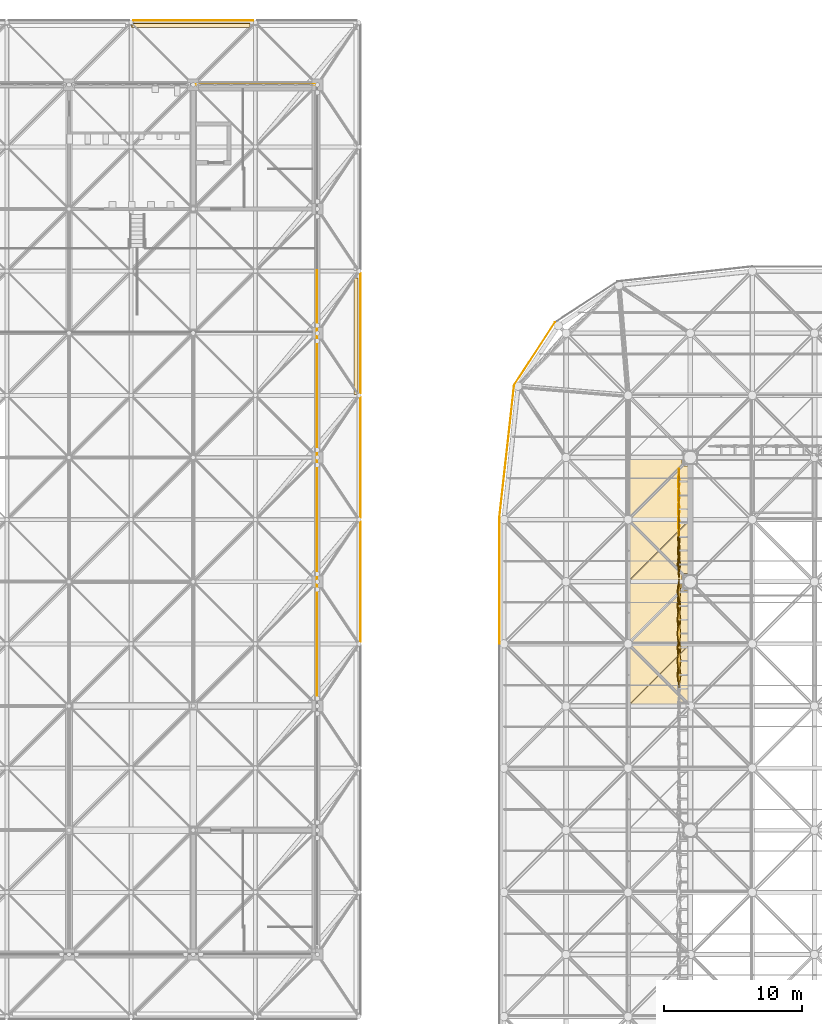
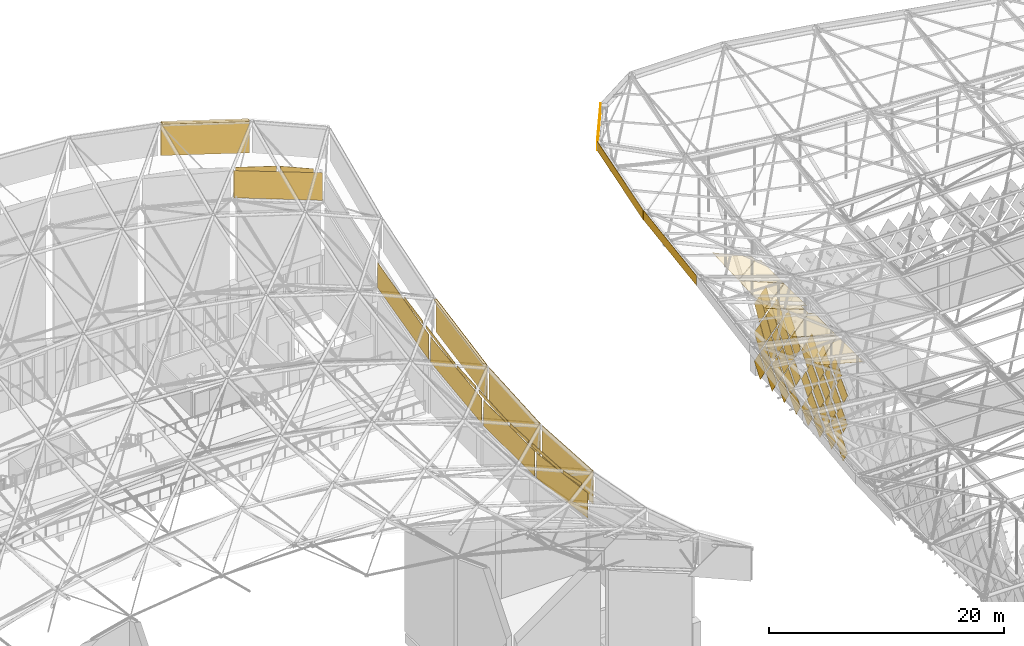
# One storey, part 422 of 437: 73 coverings.
"""IFC4 building model written with IfcOpenShell, lengths in metres."""

from ifc_helpers import new_model, si_unit, direction, frame, origin, place, context, subcontext, project, spatial, polyline, outline, extrude, material, layer, layer_set, material_profile, profile_set, type_object, element, save


model = new_model("IFC4")

# Units and contexts
model_context = context("Model", 3, precision=1e-05, world=origin(), true_north=direction((0.0, 1.0)))
body_context = subcontext(model_context, "Body", "Model", "MODEL_VIEW")
ifc_project = project(units=[si_unit("LENGTHUNIT", "METRE"), si_unit("AREAUNIT", "SQUARE_METRE"), si_unit("VOLUMEUNIT", "CUBIC_METRE"), si_unit("PLANEANGLEUNIT", "RADIAN"), si_unit("MASSUNIT", "GRAM", prefix="KILO")], contexts=[model_context])

# Site, building, storey
site_placement = place(None, origin())
site = spatial("IfcSite", under=ifc_project, at=site_placement, CompositionType="ELEMENT")
building_placement = place(site_placement, origin())
building = spatial("IfcBuilding", under=site, at=building_placement, Name="Opaline Strait Convention Centre", CompositionType="ELEMENT")
storey_placement = place(building_placement, frame((0.0, 0.0, 11.5)))
storey = spatial("IfcBuildingStorey", under=building, at=storey_placement, Name="L02", CompositionType="ELEMENT", Elevation=11.5)

# Coverings
ifc_material_1 = material(Name="White ceramic-faced aluminium tile", Category="aluminium")
ifc_material_profile_1 = material_profile(ifc_material_1, outline(polyline([(0.927978515625, 0.0), (0.0, 1.39208984375), (-0.927978515625, 0.0), (0.0, -1.39208984375), (0.927978515625, 0.0)])), Name="Diamond tile 1856x2784")
ifc_profile_set_1 = profile_set([ifc_material_profile_1], Name="White ceramic-faced aluminium tile")
covering_type_1 = type_object("IfcCoveringType", Name="Diamond wall tile 1856x2784x30 pivot 1 deg", PredefinedType="CLADDING", material=ifc_profile_set_1)
for number, where, z_axis, x_axis, name in (
    (1, (98.199951171875, 151.25, 1.89208984375), (-0.999702690643, 0.0, -0.024382992455), (0.0, -1.0, 0.0), "Wall tile XT02 W"),
    (2, (98.199951171875, 150.25, 3.39208984375), (-0.999702690643, 0.0, -0.024382992455), (0.0, -1.0, 0.0), "Wall tile XT02 W"),
    (3, (98.199951171875, 151.25, 4.89208984375), (-0.999867829764, 0.0, 0.016258013492), (0.0, -1.0, 0.0), "Wall tile XT02 W"),
    (4, (98.199951171875, 149.25, 4.89208984375), (-0.999702690643, 0.0, -0.024382992455), (0.0, -1.0, 0.0), "Wall tile XT02 W"),
    (5, (98.199951171875, 150.25, 6.39208984375), (-0.999867829764, 0.0, 0.016258013492), (0.0, -1.0, 0.0), "Wall tile XT02 W"),
    (6, (98.199951171875, 149.25, 7.89208984375), (-0.999867829764, 0.0, 0.016258013492), (0.0, -1.0, 0.0), "Wall tile XT02 W"),
):
    element("IfcCovering", number, at=place(storey_placement, frame(where, z_axis=z_axis, x_axis=x_axis)), inside=storey, type_object=covering_type_1, Name=name, PredefinedType="CLADDING", context=body_context, shape_type="SweptSolid", body=[
        extrude(outline(polyline([(0.927978515625, 0.0), (0.0, 1.39208984375), (-0.927978515625, 0.0), (0.0, -1.39208984375), (0.927978515625, 0.0)])), origin(), (0.0, 0.0, 1.0), 0.030029296875),
    ])
ifc_material_profile_2 = material_profile(ifc_material_1, outline(polyline([(0.927978515625, 0.0), (0.0, 1.39208984375), (-0.927978515625, 0.0), (0.0, -1.39208984375), (0.927978515625, 0.0)])), Name="Diamond tile 1856x2784")
ifc_profile_set_2 = profile_set([ifc_material_profile_2], Name="White ceramic-faced aluminium tile")
covering_type_2 = type_object("IfcCoveringType", Name="Diamond wall tile 1856x2784x30 pivot 1.5 deg", PredefinedType="CLADDING", material=ifc_profile_set_2)
for number, where, z_axis, x_axis, name in (
    (7, (98.199951171875, 149.25, 1.89208984375), (-0.999471633277, 0.0, -0.032503142546), (0.0, -1.0, 0.0), "Wall tile XT03 W"),
    (8, (98.199951171875, 148.25, 3.39208984375), (-0.999471633277, 0.0, -0.032503142546), (0.0, -1.0, 0.0), "Wall tile XT03 W"),
    (9, (98.199951171875, 147.25, 4.89208984375), (-0.999471633277, 0.0, -0.032503142546), (0.0, -1.0, 0.0), "Wall tile XT03 W"),
    (10, (98.199951171875, 148.25, 6.39208984375), (-0.999471633277, 0.0, -0.032503142546), (0.0, -1.0, 0.0), "Wall tile XT03 W"),
    (11, (98.199951171875, 146.25, 6.39208984375), (-0.999471633277, 0.0, -0.032503142546), (0.0, -1.0, 0.0), "Wall tile XT03 W"),
    (12, (98.199951171875, 147.25, 7.89208984375), (-0.999471633277, 0.0, -0.032503142546), (0.0, -1.0, 0.0), "Wall tile XT03 W"),
    (13, (98.199951171875, 145.25, 7.89208984375), (-0.999471633277, 0.0, -0.032503142546), (0.0, -1.0, 0.0), "Wall tile XT03 W"),
    (14, (98.199951171875, 148.25, 9.39208984375), (-0.999702690643, 0.0, 0.024382992455), (0.0, -1.0, 0.0), "Wall tile XT03 W"),
    (15, (98.199951171875, 146.25, 9.39208984375), (-0.999471633277, 0.0, -0.032503142546), (0.0, -1.0, 0.0), "Wall tile XT03 W"),
):
    element("IfcCovering", number, at=place(storey_placement, frame(where, z_axis=z_axis, x_axis=x_axis)), inside=storey, type_object=covering_type_2, Name=name, PredefinedType="CLADDING", context=body_context, shape_type="SweptSolid", body=[
        extrude(outline(polyline([(0.927978515625, 0.0), (0.0, 1.39208984375), (-0.927978515625, 0.0), (0.0, -1.39208984375), (0.927978515625, 0.0)])), origin(), (0.0, 0.0, 1.0), 0.030029296875),
    ])
ifc_material_profile_3 = material_profile(ifc_material_1, outline(polyline([(0.927978515625, 0.0), (0.0, 1.39208984375), (-0.927978515625, 0.0), (0.0, -1.39208984375), (0.927978515625, 0.0)])), Name="Diamond tile 1856x2784")
ifc_profile_set_3 = profile_set([ifc_material_profile_3], Name="White ceramic-faced aluminium tile")
covering_type_3 = type_object("IfcCoveringType", Name="Diamond wall tile 1856x2784x30 pivot 2 deg", PredefinedType="CLADDING", material=ifc_profile_set_3)
for number, where, z_axis, x_axis, name in (
    (16, (98.199951171875, 151.25, 7.89208984375), (-0.999471633277, 0.0, 0.032503142546), (0.0, -1.0, 0.0), "Wall tile XT04 W"),
    (17, (98.199951171875, 150.25, 9.39208984375), (-0.999471633277, 0.0, 0.032503142546), (0.0, -1.0, 0.0), "Wall tile XT04 W"),
):
    element("IfcCovering", number, at=place(storey_placement, frame(where, z_axis=z_axis, x_axis=x_axis)), inside=storey, type_object=covering_type_3, Name=name, PredefinedType="CLADDING", context=body_context, shape_type="SweptSolid", body=[
        extrude(outline(polyline([(0.927978515625, 0.0), (0.0, 1.39208984375), (-0.927978515625, 0.0), (0.0, -1.39208984375), (0.927978515625, 0.0)])), origin(), (0.0, 0.0, 1.0), 0.030029296875),
    ])
ifc_material_profile_4 = material_profile(ifc_material_1, outline(polyline([(0.927978515625, 0.0), (0.0, 1.39208984375), (-0.927978515625, 0.0), (0.0, -1.39208984375), (0.927978515625, 0.0)])), Name="Diamond tile 1856x2784")
ifc_profile_set_4 = profile_set([ifc_material_profile_4], Name="White ceramic-faced aluminium tile")
covering_type_4 = type_object("IfcCoveringType", Name="Diamond wall tile 1856x2784x30 pivot 3 deg", PredefinedType="CLADDING", material=ifc_profile_set_4)
for number, where, z_axis, x_axis, name in (
    (18, (98.199951171875, 147.25, 1.89208984375), (-0.998384516691, 0.0, -0.056818631031), (0.0, -1.0, 0.0), "Wall tile XT06 W"),
    (19, (98.199951171875, 137.25, 1.89208984375), (-0.998384516691, 0.0, -0.056818631031), (0.0, -1.0, 0.0), "Wall tile XT06 W"),
    (20, (98.199951171875, 146.25, 3.39208984375), (-0.998384516691, 0.0, -0.056818631031), (0.0, -1.0, 0.0), "Wall tile XT06 W"),
    (21, (98.199951171875, 145.25, 4.89208984375), (-0.998384516691, 0.0, -0.056818631031), (0.0, -1.0, 0.0), "Wall tile XT06 W"),
    (22, (98.199951171875, 143.25, 7.89208984375), (-0.998384516691, 0.0, -0.056818631031), (0.0, -1.0, 0.0), "Wall tile XT06 W"),
):
    element("IfcCovering", number, at=place(storey_placement, frame(where, z_axis=z_axis, x_axis=x_axis)), inside=storey, type_object=covering_type_4, Name=name, PredefinedType="CLADDING", context=body_context, shape_type="SweptSolid", body=[
        extrude(outline(polyline([(0.927978515625, 0.0), (0.0, 1.39208984375), (-0.927978515625, 0.0), (0.0, -1.39208984375), (0.927978515625, 0.0)])), origin(), (0.0, 0.0, 1.0), 0.030029296875),
    ])
ifc_material_profile_5 = material_profile(ifc_material_1, outline(polyline([(0.927978515625, 0.0), (0.0, 1.39208984375), (-0.927978515625, 0.0), (0.0, -1.39208984375), (0.927978515625, 0.0)])), Name="Diamond tile 1856x2784")
ifc_profile_set_5 = profile_set([ifc_material_profile_5], Name="White ceramic-faced aluminium tile")
covering_type_5 = type_object("IfcCoveringType", Name="Diamond wall tile 1856x2784x30 pivot 3.5 deg", PredefinedType="CLADDING", material=ifc_profile_set_5)
covering_1_placement = place(storey_placement, frame((98.199951171875, 142.25, 9.39208984375), z_axis=(-0.99785694905, 0.0, -0.065433242561), x_axis=(0.0, -1.0, 0.0)))
element("IfcCovering", 23, at=covering_1_placement, inside=storey, type_object=covering_type_5, Name="Wall tile XT07 W", PredefinedType="CLADDING", context=body_context, shape_type="SweptSolid", body=[
    extrude(outline(polyline([(0.927978515625, 0.0), (0.0, 1.39208984375), (-0.927978515625, 0.0), (0.0, -1.39208984375), (0.927978515625, 0.0)])), origin(), (0.0, 0.0, 1.0), 0.02978515625),
])
ifc_material_profile_6 = material_profile(ifc_material_1, outline(polyline([(0.927978515625, 0.0), (0.0, 1.39208984375), (-0.927978515625, 0.0), (0.0, -1.39208984375), (0.927978515625, 0.0)])), Name="Diamond tile 1856x2784")
ifc_profile_set_6 = profile_set([ifc_material_profile_6], Name="White ceramic-faced aluminium tile")
covering_type_6 = type_object("IfcCoveringType", Name="Diamond wall tile 1856x2784x30 pivot 4 deg", PredefinedType="CLADDING", material=ifc_profile_set_6)
for number, where, z_axis, x_axis, name in (
    (24, (98.199951171875, 145.25, 1.89208984375), (-0.997290013252, 0.0, -0.073570574748), (0.0, -1.0, 0.0), "Wall tile XT08 W"),
    (25, (98.199951171875, 143.25, 4.89208984375), (-0.997290013252, 0.0, -0.073570574748), (0.0, -1.0, 0.0), "Wall tile XT08 W"),
):
    element("IfcCovering", number, at=place(storey_placement, frame(where, z_axis=z_axis, x_axis=x_axis)), inside=storey, type_object=covering_type_6, Name=name, PredefinedType="CLADDING", context=body_context, shape_type="SweptSolid", body=[
        extrude(outline(polyline([(0.927978515625, 0.0), (0.0, 1.39208984375), (-0.927978515625, 0.0), (0.0, -1.39208984375), (0.927978515625, 0.0)])), origin(), (0.0, 0.0, 1.0), 0.02978515625),
    ])
ifc_material_profile_7 = material_profile(ifc_material_1, outline(polyline([(0.927978515625, 0.0), (0.0, 1.39208984375), (-0.927978515625, 0.0), (0.0, -1.39208984375), (0.927978515625, 0.0)])), Name="Diamond tile 1856x2784")
ifc_profile_set_7 = profile_set([ifc_material_profile_7], Name="White ceramic-faced aluminium tile")
covering_type_7 = type_object("IfcCoveringType", Name="Diamond wall tile 1856x2784x30 pivot 4.5 deg", PredefinedType="CLADDING", material=ifc_profile_set_7)
for number, where, z_axis, x_axis, name in (
    (26, (98.199951171875, 143.25, 1.89208984375), (-0.996657521232, 0.0, -0.081693239445), (0.0, -1.0, 0.0), "Wall tile XT09 W"),
    (27, (98.199951171875, 139.25, 1.89208984375), (-0.996657521232, 0.0, -0.081693239445), (0.0, -1.0, 0.0), "Wall tile XT09 W"),
    (28, (98.199951171875, 138.25, 3.39208984375), (-0.996657521232, 0.0, -0.081693239445), (0.0, -1.0, 0.0), "Wall tile XT09 W"),
    (29, (98.199951171875, 137.25, 4.89208984375), (-0.996657521232, 0.0, -0.081693239445), (0.0, -1.0, 0.0), "Wall tile XT09 W"),
    (30, (98.199951171875, 142.25, 6.39208984375), (-0.996657521232, 0.0, -0.081693239445), (0.0, -1.0, 0.0), "Wall tile XT09 W"),
    (31, (98.199951171875, 141.25, 7.89208984375), (-0.996657521232, 0.0, -0.081693239445), (0.0, -1.0, 0.0), "Wall tile XT09 W"),
    (32, (98.199951171875, 140.25, 9.39208984375), (-0.996657521232, 0.0, -0.081693239445), (0.0, -1.0, 0.0), "Wall tile XT09 W"),
):
    element("IfcCovering", number, at=place(storey_placement, frame(where, z_axis=z_axis, x_axis=x_axis)), inside=storey, type_object=covering_type_7, Name=name, PredefinedType="CLADDING", context=body_context, shape_type="SweptSolid", body=[
        extrude(outline(polyline([(0.927978515625, 0.0), (0.0, 1.39208984375), (-0.927978515625, 0.0), (0.0, -1.39208984375), (0.927978515625, 0.0)])), origin(), (0.0, 0.0, 1.0), 0.02978515625),
    ])
ifc_material_profile_8 = material_profile(ifc_material_1, outline(polyline([(0.927978515625, 0.0), (0.0, 1.39208984375), (-0.927978515625, 0.0), (0.0, -1.39208984375), (0.927978515625, 0.0)])), Name="Diamond tile 1856x2784")
ifc_profile_set_8 = profile_set([ifc_material_profile_8], Name="White ceramic-faced aluminium tile")
covering_type_8 = type_object("IfcCoveringType", Name="Diamond wall tile 1856x2784x30 pivot 5 deg", PredefinedType="CLADDING", material=ifc_profile_set_8)
for number, where, z_axis, x_axis, name in (
    (33, (98.199951171875, 141.25, 1.89208984375), (-0.995959849254, 0.0, -0.089799658539), (0.0, -1.0, 0.0), "Wall tile XT10 W"),
    (34, (98.199951171875, 142.25, 3.39208984375), (-0.995959849254, 0.0, -0.089799658539), (0.0, -1.0, 0.0), "Wall tile XT10 W"),
    (35, (98.199951171875, 140.25, 3.39208984375), (-0.995959849254, 0.0, -0.089799658539), (0.0, -1.0, 0.0), "Wall tile XT10 W"),
    (36, (98.199951171875, 141.25, 4.89208984375), (-0.995959849254, 0.0, -0.089799658539), (0.0, -1.0, 0.0), "Wall tile XT10 W"),
    (37, (98.199951171875, 140.25, 6.39208984375), (-0.995959849254, 0.0, -0.089799658539), (0.0, -1.0, 0.0), "Wall tile XT10 W"),
):
    element("IfcCovering", number, at=place(storey_placement, frame(where, z_axis=z_axis, x_axis=x_axis)), inside=storey, type_object=covering_type_8, Name=name, PredefinedType="CLADDING", context=body_context, shape_type="SweptSolid", body=[
        extrude(outline(polyline([(0.927978515625, 0.0), (0.0, 1.39208984375), (-0.927978515625, 0.0), (0.0, -1.39208984375), (0.927978515625, 0.0)])), origin(), (0.0, 0.0, 1.0), 0.02978515625),
    ])
ifc_material_profile_9 = material_profile(ifc_material_1, outline(polyline([(0.927978515625, 0.0), (0.0, 1.39208984375), (-0.927978515625, 0.0), (0.0, -1.39208984375), (0.927978515625, 0.0)])), Name="Diamond tile 1856x2784")
ifc_profile_set_9 = profile_set([ifc_material_profile_9], Name="White ceramic-faced aluminium tile")
covering_type_9 = type_object("IfcCoveringType", Name="Diamond wall tile 1856x2784x30 pivot 5.5 deg", PredefinedType="CLADDING", material=ifc_profile_set_9)
for number, where, z_axis, x_axis, name in (
    (38, (98.199951171875, 139.25, 4.89208984375), (-0.995197410875, 0.0, -0.097888269922), (0.0, -1.0, 0.0), "Wall tile XT11 W"),
    (39, (98.199951171875, 138.25, 6.39208984375), (-0.995197410875, 0.0, -0.097888269922), (0.0, -1.0, 0.0), "Wall tile XT11 W"),
    (40, (98.199951171875, 139.25, 7.89208984375), (-0.995197410875, 0.0, -0.097888269922), (0.0, -1.0, 0.0), "Wall tile XT11 W"),
    (41, (98.199951171875, 137.25, 7.89208984375), (-0.995197410875, 0.0, -0.097888269922), (0.0, -1.0, 0.0), "Wall tile XT11 W"),
    (42, (98.199951171875, 138.25, 9.39208984375), (-0.995197410875, 0.0, -0.097888269922), (0.0, -1.0, 0.0), "Wall tile XT11 W"),
):
    element("IfcCovering", number, at=place(storey_placement, frame(where, z_axis=z_axis, x_axis=x_axis)), inside=storey, type_object=covering_type_9, Name=name, PredefinedType="CLADDING", context=body_context, shape_type="SweptSolid", body=[
        extrude(outline(polyline([(0.927978515625, 0.0), (0.0, 1.39208984375), (-0.927978515625, 0.0), (0.0, -1.39208984375), (0.927978515625, 0.0)])), origin(), (0.0, 0.0, 1.0), 0.030029296875),
    ])
ifc_material_2 = material(Name="White aluminium fascia plate", Category="aluminium")
ifc_layer_1 = layer(ifc_material_2, 0.02001953125)
ifc_layer_set_1 = layer_set([ifc_layer_1], Name="White aluminium fascia plate")
covering_type_10 = type_object("IfcCoveringType", Name="Edge fascia plate 20 aluminium", PredefinedType="CLADDING", material=ifc_layer_set_1)
covering_2_placement = place(storey_placement, frame((87.737548828125, 160.516845703125, 24.8037109375), z_axis=(-0.837610596839, 0.546267780547, 0.0), x_axis=(-0.546267780547, -0.837610596839, 0.0)))
element("IfcCovering", 43, at=covering_2_placement, inside=storey, type_object=covering_type_10, Name="Edge fascia plate W", PredefinedType="CLADDING", context=body_context, shape_type="SweptSolid", body=[
    extrude(outline(polyline([(-2.700439453125, 0.5751953125), (2.700439453125, 0.4248046875), (2.700439453125, -0.5751953125), (-2.700439453125, -0.4248046875), (-2.700439453125, 0.5751953125)])), origin(), (0.0, 0.0, 1.0), 0.02001953125),
])
covering_3_placement = place(storey_placement, frame((85.718505859375, 153.3935546875, 24.2626953125), z_axis=(-0.993883734674, 0.110431526075, 0.0), x_axis=(-0.110431526075, -0.993883734674, 0.0)))
element("IfcCovering", 44, at=covering_3_placement, inside=storey, type_object=covering_type_10, Name="Edge fascia plate W", PredefinedType="CLADDING", context=body_context, shape_type="SweptSolid", body=[
    extrude(outline(polyline([(-4.9052734375, 0.9658203125), (4.9052734375, 0.0341796875), (4.9052734375, -0.9658203125), (-4.9052734375, -0.0341796875), (-4.9052734375, 0.9658203125)])), origin(), (0.0, 0.0, 1.0), 0.019775390625),
])
covering_4_placement = place(storey_placement, frame((85.199951171875, 144.008056640625, 23.124267578125), z_axis=(-1.0, 0.0, 0.0), x_axis=(0.0, -1.0, 0.0)))
element("IfcCovering", 45, at=covering_4_placement, inside=storey, type_object=covering_type_10, Name="Edge fascia plate W", PredefinedType="CLADDING", context=body_context, shape_type="SweptSolid", body=[
    extrude(outline(polyline([(-4.508056640625, 1.17236328125), (4.508056640625, -0.17236328125), (4.508056640625, -1.17236328125), (-4.508056640625, 0.17236328125), (-4.508056640625, 1.17236328125)])), origin(), (0.0, 0.0, 1.0), 0.02001953125),
])
ifc_material_3 = material(Name="Standing seam aluminium edge flashing, white", Category="aluminium")
ifc_layer_2 = layer(ifc_material_3, 0.030029296875)
ifc_layer_set_2 = layer_set([ifc_layer_2], Name="Standing seam aluminium edge flashing, white")
covering_type_11 = type_object("IfcCoveringType", Name="Shell edge flashing 30", PredefinedType="ROOFING", material=ifc_layer_set_2)
covering_5_placement = place(storey_placement, frame((74.64990234375, 157.550048828125, 6.590576171875), z_axis=(0.392251562913, -0.172114766869, 0.903612316438), x_axis=(0.917297252512, -5.8031777e-05, -0.398203148113)))
element("IfcCovering", 46, at=covering_5_placement, inside=storey, type_object=covering_type_11, Name="PEF1 edge flashing 12", PredefinedType="ROOFING", context=body_context, shape_type="SweptSolid", body=[
    extrude(outline(polyline([(0.0, 0.0), (0.32714814561255307, 3.469446951953614e-18), (-0.31429762912742565, 8.577942404262181), (-0.6413485571745214, 8.577903864799362), (0.0, 0.0)])), origin(), (0.0, 0.0, -1.0), 0.030029296875),
])
covering_6_placement = place(storey_placement, frame((58.550048828125, 184.14990234375, 20.94775390625), z_axis=(0.278634448773, -0.389921733048, 0.877680970543), x_axis=(0.953122522929, 0.0, -0.30258462665)))
element("IfcCovering", 47, at=covering_6_placement, inside=storey, type_object=covering_type_11, Name="PEF1 edge flashing 30", PredefinedType="ROOFING", context=body_context, shape_type="SweptSolid", body=[
    extrude(outline(polyline([(0.0, 0.0), (8.970566346338158, 0.0), (8.93023157921141, 0.3258396908018991), (-0.0403347671267472, 0.3258396908018991), (0.0, 0.0)])), origin(), (0.0, 0.0, -1.0), 0.030029296875),
])
ifc_material_4 = material(Name="Aluminium composite cladding panel, white", Category="aluminium")
ifc_layer_3 = layer(ifc_material_4, 0.0400390625)
ifc_layer_set_3 = layer_set([ifc_layer_3], Name="Aluminium composite cladding panel, white")
covering_type_12 = type_object("IfcCoveringType", Name="Shell edge frieze panel 40", PredefinedType="CLADDING", material=ifc_layer_set_3)
covering_7_placement = place(storey_placement, frame((72.0, 135.14990234375, 5.08984375), z_axis=(1.0, 0.0, 0.0), x_axis=(0.0, 0.992034447069, -0.125966883853)))
element("IfcCovering", 48, at=covering_7_placement, inside=storey, type_object=covering_type_12, Name="PFR1 frieze panel E 3", PredefinedType="CLADDING", context=body_context, shape_type="SweptSolid", body=[
    extrude(outline(polyline([(0.0, 0.0), (8.77005363896516, 0.0), (8.442465932226089, 2.579870832564334), (-0.3276184603728264, 2.580113028474263), (0.0, 0.0)])), origin(), (0.0, 0.0, -1.0), 0.0400390625),
])
covering_8_placement = place(storey_placement, frame((72.0, 144.14990234375, 3.965087890625), z_axis=(1.0, 0.0, 0.0), x_axis=(0.0, 1.0, 0.0)))
element("IfcCovering", 49, at=covering_8_placement, inside=storey, type_object=covering_type_12, Name="PFR1 frieze panel E 4", PredefinedType="CLADDING", context=body_context, shape_type="SweptSolid", body=[
    extrude(outline(polyline([(0.0, 0.0), (8.7001953125, 0.0), (8.7001953125, 2.601806640625), (0.0, 2.601806640625), (0.0, 0.0)])), origin(), (0.0, 0.0, -1.0), 0.0400390625),
])
covering_9_placement = place(storey_placement, frame((72.0, 153.14990234375, 3.985107421875), z_axis=(1.0, 0.0, 0.0), x_axis=(0.0, 0.992034447069, 0.125966883853)))
element("IfcCovering", 50, at=covering_9_placement, inside=storey, type_object=covering_type_12, Name="PFR1 frieze panel E 5", PredefinedType="CLADDING", context=body_context, shape_type="SweptSolid", body=[
    extrude(outline(polyline([(0.0, 0.0), (8.77005363896516, 0.0), (9.097672099337988, 2.580113028474263), (0.32758770673907317, 2.579870832564334), (0.0, 0.0)])), origin(), (0.0, 0.0, -1.0), 0.0400390625),
])
covering_10_placement = place(storey_placement, frame((72.0, 162.14990234375, 5.150390625), z_axis=(1.0, 0.0, 0.0), x_axis=(0.0, 0.969233447146, 0.246143301624)))
element("IfcCovering", 51, at=covering_10_placement, inside=storey, type_object=covering_type_12, Name="PFR1 frieze panel E 6", PredefinedType="CLADDING", context=body_context, shape_type="SweptSolid", body=[
    extrude(outline(polyline([(0.0, 0.0), (8.976367188031215, 0.0), (9.615702780310546, 2.5174986924272122), (0.6393355922793319, 2.5174986924272122), (0.0, 0.0)])), origin(), (0.0, 0.0, -1.0), 0.0400390625),
])
covering_11_placement = place(storey_placement, frame((72.0, 136.199951171875, 7.766845703125), z_axis=(1.0, 0.0, 0.0), x_axis=(0.0, 0.982333826246, -0.1871369921)))
element("IfcCovering", 52, at=covering_11_placement, inside=storey, type_object=covering_type_12, Name="PFR1 frieze strip E 6", PredefinedType="CLADDING", context=body_context, shape_type="SweptSolid", body=[
    extrude(outline(polyline([(0.0, 0.0), (3.155849440811978, 0.0), (3.0931658584971276, 0.3290434593774147), (-0.06268358231485006, 0.3290434593774147), (0.0, 0.0)])), origin(), (0.0, 0.0, -1.0), 0.0400390625),
])
covering_12_placement = place(storey_placement, frame((72.0, 139.699951171875, 7.12548828125), z_axis=(1.0, 0.0, 0.0), x_axis=(0.0, 0.997991550504, -0.063347179281)))
element("IfcCovering", 53, at=covering_12_placement, inside=storey, type_object=covering_type_12, Name="PFR1 frieze strip E 7", PredefinedType="CLADDING", context=body_context, shape_type="SweptSolid", body=[
    extrude(outline(polyline([(0.0, 0.0), (4.910007987443211, 0.0), (4.888789156883384, 0.334288185373866), (-0.02121883055982788, 0.33428818537386606), (0.0, 0.0)])), origin(), (0.0, 0.0, -1.0), 0.0400390625),
])
covering_13_placement = place(storey_placement, frame((72.0, 145.199951171875, 6.7763671875), z_axis=(1.0, 0.0, 0.0), x_axis=(0.0, 0.99799155694, -0.063347077878)))
element("IfcCovering", 54, at=covering_13_placement, inside=storey, type_object=covering_type_12, Name="PFR1 frieze strip E 8", PredefinedType="CLADDING", context=body_context, shape_type="SweptSolid", body=[
    extrude(outline(polyline([(0.0, 0.0), (3.106336556347372, 0.0), (3.0851177597534947, 0.33428818752984163), (-0.021218796593877175, 0.33428818752984163), (0.0, 0.0)])), origin(), (0.0, 0.0, -1.0), 0.0400390625),
])
covering_14_placement = place(storey_placement, frame((72.0, 148.699951171875, 6.57958984375), z_axis=(1.0, 0.0, 0.0), x_axis=(0.0, 0.997991550504, 0.063347179281)))
element("IfcCovering", 55, at=covering_14_placement, inside=storey, type_object=covering_type_12, Name="PFR1 frieze strip E 9", PredefinedType="CLADDING", context=body_context, shape_type="SweptSolid", body=[
    extrude(outline(polyline([(0.0, 0.0), (4.910007987443211, 0.0), (4.931226818003039, 0.3342881853738661), (0.02121883055982788, 0.33428818537386606), (0.0, 0.0)])), origin(), (0.0, 0.0, -1.0), 0.0400390625),
])
covering_15_placement = place(storey_placement, frame((72.0, 154.199951171875, 6.9287109375), z_axis=(1.0, 0.0, 0.0), x_axis=(0.0, 0.99799155694, 0.063347077878)))
element("IfcCovering", 56, at=covering_15_placement, inside=storey, type_object=covering_type_12, Name="PFR1 frieze strip E 10", PredefinedType="CLADDING", context=body_context, shape_type="SweptSolid", body=[
    extrude(outline(polyline([(0.0, 0.0), (3.106336556347372, 0.0), (3.127555352941249, 0.3342881875298417), (0.021218796593877175, 0.33428818752984163), (0.0, 0.0)])), origin(), (0.0, 0.0, -1.0), 0.0400390625),
])
covering_16_placement = place(storey_placement, frame((72.0, 157.699951171875, 7.17626953125), z_axis=(1.0, 0.0, 0.0), x_axis=(0.0, 0.982338994807, 0.187109858858)))
element("IfcCovering", 57, at=covering_16_placement, inside=storey, type_object=covering_type_12, Name="PFR1 frieze strip E 11", PredefinedType="CLADDING", context=body_context, shape_type="SweptSolid", body=[
    extrude(outline(polyline([(0.0, 0.0), (4.9882438855426, 0.0), (5.050918379281292, 0.32904519064328774), (0.06267449373869209, 0.32904519064328774), (0.0, 0.0)])), origin(), (0.0, 0.0, -1.0), 0.0400390625),
])
covering_17_placement = place(storey_placement, frame((72.0, 163.199951171875, 8.223876953125), z_axis=(1.0, 0.0, 0.0), x_axis=(0.0, 0.982333826246, 0.1871369921)))
element("IfcCovering", 58, at=covering_17_placement, inside=storey, type_object=covering_type_12, Name="PFR1 frieze strip E 12", PredefinedType="CLADDING", context=body_context, shape_type="SweptSolid", body=[
    extrude(outline(polyline([(0.0, 0.0), (3.155849440811978, 0.0), (3.218533023126828, 0.32904345937741464), (0.06268358231485006, 0.3290434593774147), (0.0, 0.0)])), origin(), (0.0, 0.0, -1.0), 0.0400390625),
])
covering_18_placement = place(storey_placement, frame((63.14990234375, 180.0, 14.221923828125), z_axis=(0.0, -1.0, 0.0), x_axis=(0.934493135261, 0.0, -0.355981151397)))
element("IfcCovering", 59, at=covering_18_placement, inside=storey, type_object=covering_type_12, Name="PFR1 frieze band N 7", PredefinedType="CLADDING", context=body_context, shape_type="SweptSolid", body=[
    extrude(outline(polyline([(0.0, 0.0), (9.310068725189893, 0.0), (8.289664746052193, 2.6786825930424363), (-1.004065000509143, 2.6357908182794705), (0.0, 0.0)])), origin(), (0.0, 0.0, -1.0), 0.0400390625),
])
covering_19_placement = place(storey_placement, frame((63.300048828125, 180.0, 16.986083984375), z_axis=(0.0, -1.0, 0.0), x_axis=(0.936122385256, 0.0, -0.351674394608)))
element("IfcCovering", 60, at=covering_19_placement, inside=storey, type_object=covering_type_12, Name="PFR1 frieze closure N 71", PredefinedType="CLADDING", context=body_context, shape_type="SweptSolid", body=[
    extrude(outline(polyline([(0.0, 0.0), (4.272945571006845, 0.0), (4.069977243650319, 0.540281571959275), (-0.12105978915934983, 0.32224916094017664), (0.0, 0.0)])), origin(), (0.0, 0.0, -1.0), 0.0400390625),
])
covering_20_placement = place(storey_placement, frame((67.699951171875, 180.0, 15.3330078125), z_axis=(0.0, -1.0, 0.0), x_axis=(0.936144087686, 0.0, -0.351616619474)))
element("IfcCovering", 61, at=covering_20_placement, inside=storey, type_object=covering_type_12, Name="PFR1 frieze closure N 72", PredefinedType="CLADDING", context=body_context, shape_type="SweptSolid", body=[
    extrude(outline(polyline([(0.0, 0.0), (3.4716877911737347, 0.0), (3.335281832105516, 0.3631672254232251), (-0.2029349825281741, 0.5402940974830107), (0.0, 0.0)])), origin(), (0.0, 0.0, -1.0), 0.0400390625),
])
covering_21_placement = place(storey_placement, frame((75.1494140625, 139.64990234375, 2.69580078125), z_axis=(1.0, 0.0, 0.0), x_axis=(0.0, 0.997989749805, -0.063375541694)))
element("IfcCovering", 62, at=covering_21_placement, inside=storey, type_object=covering_type_12, Name="PFR1 fascia panel E 4", PredefinedType="CLADDING", context=body_context, shape_type="SweptSolid", body=[
    extrude(outline(polyline([(0.0, 0.0), (8.717720111056945, 0.0), (8.498613410390716, 3.450325402095345), (-0.2191067006662298, 3.4503254020953453), (0.0, 0.0)])), origin(), (0.0, 0.0, -1.0), 0.0400390625),
])
covering_22_placement = place(storey_placement, frame((75.1494140625, 148.64990234375, 2.143310546875), z_axis=(1.0, 0.0, 0.0), x_axis=(0.0, 0.997989749805, 0.063375541694)))
element("IfcCovering", 63, at=covering_22_placement, inside=storey, type_object=covering_type_12, Name="PFR1 fascia panel E 5", PredefinedType="CLADDING", context=body_context, shape_type="SweptSolid", body=[
    extrude(outline(polyline([(0.0, 0.0), (8.717720111056945, 0.0), (8.936826811723176, 3.4503254020953458), (0.2191067006662298, 3.4503254020953453), (0.0, 0.0)])), origin(), (0.0, 0.0, -1.0), 0.0400390625),
])
covering_23_placement = place(storey_placement, frame((75.1494140625, 157.64990234375, 2.73388671875), z_axis=(1.0, 0.0, 0.0), x_axis=(0.0, 0.982337601302, 0.187117174701)))
element("IfcCovering", 64, at=covering_23_placement, inside=storey, type_object=covering_type_12, Name="PFR1 fascia panel E 6", PredefinedType="CLADDING", context=body_context, shape_type="SweptSolid", body=[
    extrude(outline(polyline([(0.0, 0.0), (8.85662454635526, 0.0), (9.503540149611712, 3.396211614267372), (0.6469156032564519, 3.3962116142673717), (0.0, 0.0)])), origin(), (0.0, 0.0, -1.0), 0.0400390625),
])
covering_24_placement = place(storey_placement, frame((58.64990234375, 184.6494140625, 17.35888671875), z_axis=(0.0, -1.0, 0.0), x_axis=(0.95312438958, 0.0, -0.302578746754)))
element("IfcCovering", 65, at=covering_24_placement, inside=storey, type_object=covering_type_12, Name="PFR1 fascia panel N 7", PredefinedType="CLADDING", context=body_context, shape_type="SweptSolid", body=[
    extrude(outline(polyline([(0.0, 0.0), (9.128079616482133, 0.0), (8.087595815693874, 3.27752857110319), (-1.0404838007882586, 3.2775285711031894), (0.0, 0.0)])), origin(), (0.0, 0.0, -1.0), 0.0400390625),
])
ifc_material_5 = material(Name="White aluminium soffit panel", Category="aluminium")
ifc_layer_4 = layer(ifc_material_5, 0.011962890625)
ifc_layer_set_4 = layer_set([ifc_layer_4], Name="White aluminium soffit panel")
covering_type_13 = type_object("IfcCoveringType", Name="Soffit lining panel 12 aluminium", PredefinedType="CEILING", material=ifc_layer_set_4)
covering_25_placement = place(storey_placement, frame((94.54833984375, 135.02001953125, 13.12939453125), z_axis=(0.258728992059, 0.0, 0.96594995143), x_axis=(0.694755567167, 0.694755567167, -0.186089773445)))
element("IfcCovering", 66, at=covering_25_placement, inside=storey, type_object=covering_type_13, Name="Soffit lining panel", PredefinedType="CEILING", context=body_context, shape_type="SweptSolid", body=[
    extrude(outline(polyline([(0.0, 0.0), (6.378704733623482, 0.0), (3.299797737720878, -3.1874394644812316), (0.0, 0.0)])), origin(), (0.0, 0.0, -1.0), 0.011962890625),
])
covering_26_placement = place(storey_placement, frame((94.52001953125, 135.04833984375, 13.1201171875), z_axis=(0.306844161114, -0.052301197228, 0.950321653736), x_axis=(0.0, 0.998488991829, 0.054952099099)))
element("IfcCovering", 67, at=covering_26_placement, inside=storey, type_object=covering_type_13, Name="Soffit lining panel", PredefinedType="CEILING", context=body_context, shape_type="SweptSolid", body=[
    extrude(outline(polyline([(0.0, 0.0), (4.4383470035860055, -1.3877787807814457e-17), (4.359715594206891, -4.656259659467013), (0.0, 0.0)])), origin(), (0.0, 0.0, -1.0), 0.011962890625),
])
covering_27_placement = place(storey_placement, frame((94.54833984375, 139.52001953125, 13.357421875), z_axis=(0.307234339157, 3.8289778e-05, 0.951633889359), x_axis=(0.689370936352, 0.689362827743, -0.222590664312)))
element("IfcCovering", 68, at=covering_27_placement, inside=storey, type_object=covering_type_13, Name="Soffit lining panel", PredefinedType="CEILING", context=body_context, shape_type="SweptSolid", body=[
    extrude(outline(polyline([(0.0, 0.0), (5.628215885803835, 1.1102230246251565e-16), (6.04819804167267, -0.3996598583303042), (3.37355105473447, -3.2103099809754707), (0.0, 0.0)])), origin(), (0.0, 0.0, -1.0), 0.011962890625),
])
covering_28_placement = place(storey_placement, frame((94.52001953125, 139.54833984375, 13.349853515625), z_axis=(0.353088750888, -0.051395301049, 0.934177101532), x_axis=(-6.126206e-06, 0.998489883705, 0.054935890826)))
element("IfcCovering", 69, at=covering_28_placement, inside=storey, type_object=covering_type_13, Name="Soffit lining panel", PredefinedType="CEILING", context=body_context, shape_type="SweptSolid", body=[
    extrude(outline(polyline([(0.0, 0.0), (4.4383470029179595, -1.3877787807814457e-17), (4.357756853049236, -4.147019747149728), (3.805169160755247, -4.146987066701781), (0.0, 0.0)])), origin(), (0.0, 0.0, -1.0), 0.011962890625),
])
covering_29_placement = place(storey_placement, frame((98.39990234375, 144.02001953125, 12.129638671875), z_axis=(0.353516051038, 3.33951e-06, 0.935428458861), x_axis=(-0.935428458867, 9e-12, 0.35351605104)))
element("IfcCovering", 70, at=covering_29_placement, inside=storey, type_object=covering_type_13, Name="Soffit lining panel", PredefinedType="CEILING", context=body_context, shape_type="SweptSolid", body=[
    extrude(outline(polyline([(0.0, 0.0), (4.11742726156643, -8.470329472543003e-22), (-0.6201258378758628, -4.431640625030206), (-0.6201258379099917, -0.5800781250516834), (5.140093186866134e-12, -0.5800781249967654), (0.0, 0.0)])), origin(), (0.0, 0.0, -1.0), 0.011962890625),
])
covering_30_placement = place(storey_placement, frame((94.52001953125, 144.04833984375, 13.58349609375), z_axis=(0.386820964607, -0.038626263491, 0.92134551234), x_axis=(0.0, 0.999122356127, 0.041886960831)))
element("IfcCovering", 71, at=covering_30_placement, inside=storey, type_object=covering_type_13, Name="Soffit lining panel", PredefinedType="CEILING", context=body_context, shape_type="SweptSolid", body=[
    extrude(outline(polyline([(0.0, 0.0), (4.4355334437514236, 0.0), (4.357598744411463, -4.805744602273034), (0.0, 0.0)])), origin(), (0.0, 0.0, -1.0), 0.011962890625),
])
covering_31_placement = place(storey_placement, frame((94.54833984375, 148.52001953125, 13.759033203125), z_axis=(0.387154153056, -1.500748e-06, 0.922015000837), x_axis=(0.677858485629, 0.67785887948, -0.284631714627)))
element("IfcCovering", 72, at=covering_31_placement, inside=storey, type_object=covering_type_13, Name="Soffit lining panel", PredefinedType="CEILING", context=body_context, shape_type="SweptSolid", body=[
    extrude(outline(polyline([(0.0, 0.0), (5.723732372561239, -6.661338147750939e-16), (6.16369225408007, -0.405650081923053), (3.5336792382844475, -3.2581090519074807), (0.0, 0.0)])), origin(), (0.0, 0.0, -1.0), 0.011962890625),
])
covering_32_placement = place(storey_placement, frame((94.52001953125, 148.54833984375, 13.758544921875), z_axis=(0.418964447828, -0.038044665286, 0.907205266133), x_axis=(4.694149e-06, 0.999121929931, 0.041897125316)))
element("IfcCovering", 73, at=covering_32_placement, inside=storey, type_object=covering_type_13, Name="Soffit lining panel", PredefinedType="CEILING", context=body_context, shape_type="SweptSolid", body=[
    extrude(outline(polyline([(0.0, 0.0), (4.43553344347302, 0.0), (4.360482563765838, -4.272963733194881), (3.8082374982023253, -4.272989518774341), (0.0, 0.0)])), origin(), (0.0, 0.0, -1.0), 0.011962890625),
])

save(model, "model.ifc")
